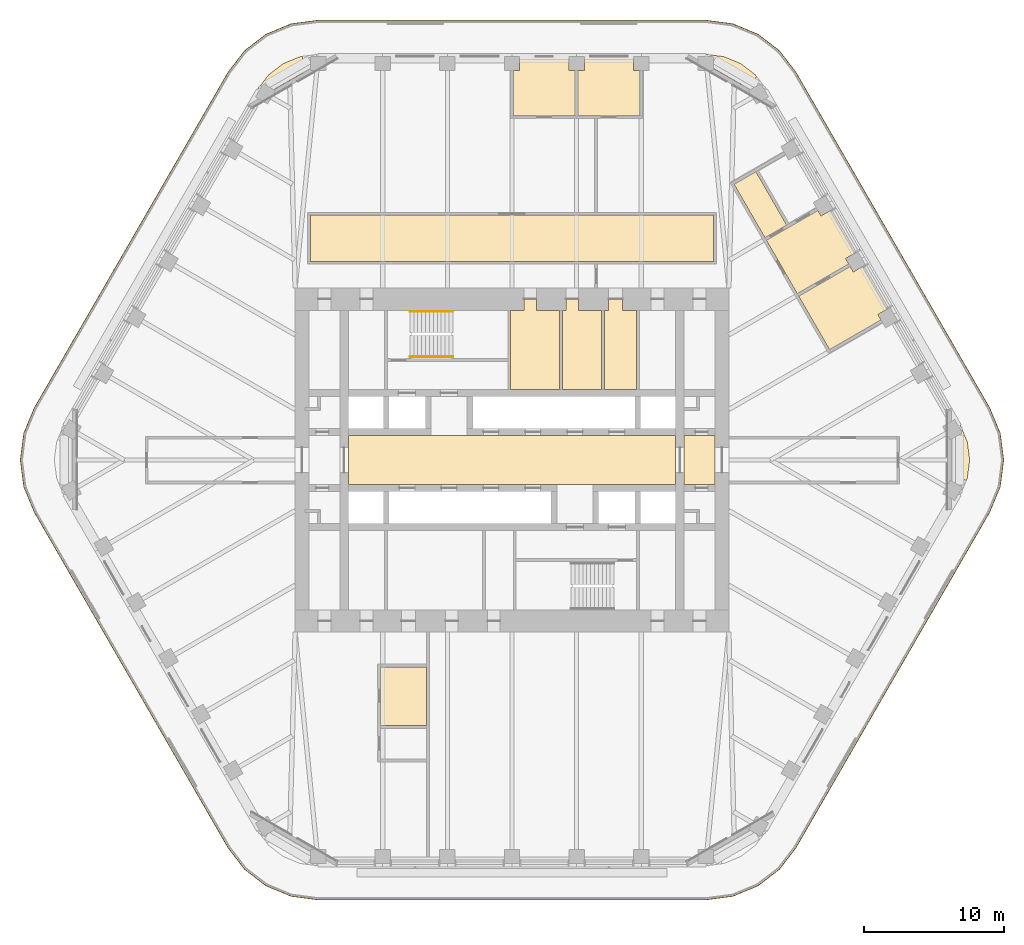
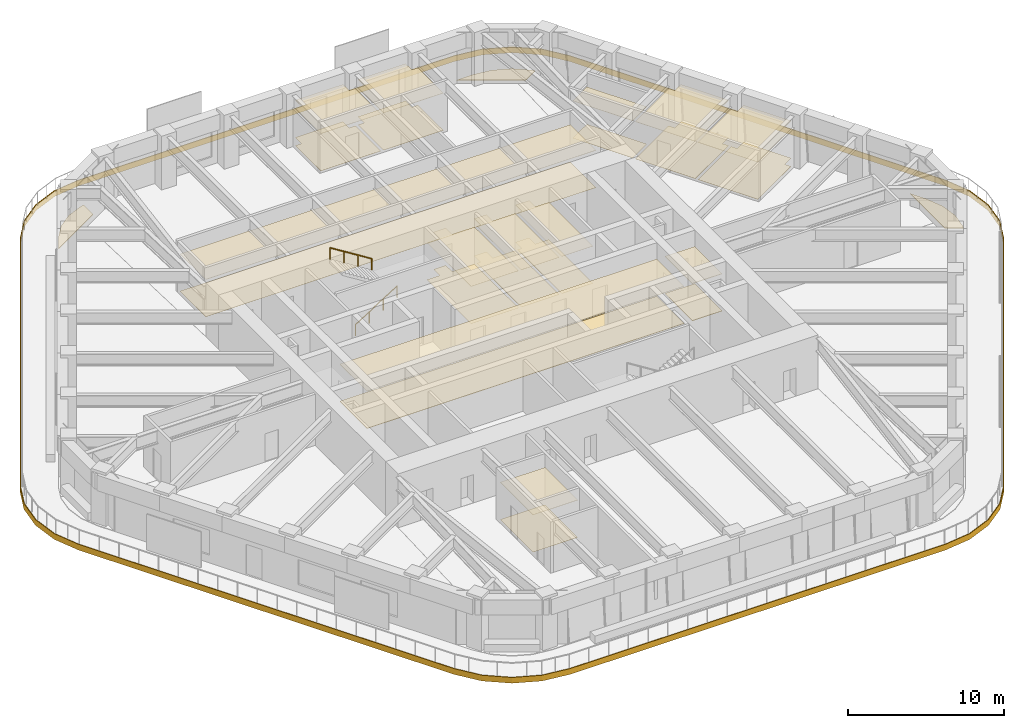
# One storey, part 19 of 20: 16 coverings, 2 railings.
"""IFC4 building model written with IfcOpenShell, lengths in metres."""

from ifc_helpers import new_model, si_unit, direction, frame, origin, origin_2d, place, context, subcontext, project, spatial, polyline, circle, outline, extrude, material, layer, layer_set, type_object, element, save


model = new_model("IFC4")

# Units and contexts
model_context = context("Model", 3, precision=1e-05, world=origin(), true_north=direction((0.0, 1.0)))
body_context = subcontext(model_context, "Body", "Model", "MODEL_VIEW")
ifc_project = project(units=[si_unit("LENGTHUNIT", "METRE"), si_unit("AREAUNIT", "SQUARE_METRE"), si_unit("VOLUMEUNIT", "CUBIC_METRE"), si_unit("PLANEANGLEUNIT", "RADIAN"), si_unit("MASSUNIT", "GRAM", prefix="KILO")], contexts=[model_context])

# Site, building, storey
site_placement = place(None, origin())
site = spatial("IfcSite", under=ifc_project, at=site_placement, CompositionType="ELEMENT")
building_placement = place(site_placement, origin())
building = spatial("IfcBuilding", under=site, at=building_placement, Name="Tarfa Lantern Tower", CompositionType="ELEMENT")
storey_placement = place(building_placement, frame((0.0, 0.0, 291.10009765625)))
storey = spatial("IfcBuildingStorey", under=building, at=storey_placement, Name="L66", CompositionType="ELEMENT", Elevation=291.10009765625)

# Coverings
ifc_material_1 = material(Name="Mineral fibre acoustic tile on suspension grid", Category="finish")
ifc_layer_1 = layer(ifc_material_1, 0.02001953125)
ifc_layer_set_1 = layer_set([ifc_layer_1], Name="CL1 ACOUSTIC TILE CEILING 20")
covering_type_1 = type_object("IfcCoveringType", Name="CL1 ACOUSTIC TILE CEILING 20", PredefinedType="CEILING", material=ifc_layer_set_1)
covering_1_placement = place(storey_placement, frame((0.0, 0.0, 2.89990234375)))
element("IfcCovering", 1, at=covering_1_placement, inside=storey, type_object=covering_type_1, Name="Ceiling L66 CL1", PredefinedType="CEILING", context=body_context, shape_type="SweptSolid", body=[
    extrude(outline(polyline([(-14.39990234375, 17.5), (14.39990234375, 17.5), (14.39990234375, 14.199951171875), (-14.39990234375, 14.199951171875), (-14.39990234375, 17.5)])), origin(), (0.0, 0.0, 1.0), 0.02001953125),
    extrude(outline(polyline([(9.1376953125, 24.60009765625), (4.71875, 24.60009765625), (4.71875, 27.85009765625), (5.168701171875, 27.85009765625), (5.168701171875, 28.64990234375), (8.6875, 28.64990234375), (8.6875, 27.85009765625), (9.1376953125, 27.85009765625), (9.1376953125, 24.60009765625)])), origin(), (0.0, 0.0, 1.0), 0.02001953125),
    extrude(outline(polyline([(4.518798828125, 24.60009765625), (0.10009765625, 24.60009765625), (0.10009765625, 27.85009765625), (0.550048828125, 27.85009765625), (0.550048828125, 28.64990234375), (4.06884765625, 28.64990234375), (4.06884765625, 27.85009765625), (4.518798828125, 27.85009765625), (4.518798828125, 24.60009765625)])), origin(), (0.0, 0.0, 1.0), 0.02001953125),
    extrude(outline(polyline([(20.48828125, 11.71337890625), (24.168701171875, 13.83837890625), (24.393798828125, 13.44873046875), (25.086669921875, 13.8486328125), (26.845947265625, 10.80126953125), (26.1533203125, 10.4013671875), (26.378173828125, 10.01171875), (22.697509765625, 7.88671875), (20.48828125, 11.71337890625)])), origin(), (0.0, 0.0, 1.0), 0.02001953125),
    extrude(outline(polyline([(18.1787109375, 15.71337890625), (21.859375, 17.83837890625), (22.08447265625, 17.44873046875), (22.77734375, 17.8486328125), (24.53662109375, 14.80126953125), (23.84375, 14.4013671875), (24.06884765625, 14.01171875), (20.38818359375, 11.88671875), (18.1787109375, 15.71337890625)])), origin(), (0.0, 0.0, 1.0), 0.02001953125),
    extrude(outline(polyline([(-9.39990234375, -18.97509765625), (-9.39990234375, -14.77490234375), (-6.10009765625, -14.77490234375), (-6.10009765625, -18.97509765625), (-9.39990234375, -18.97509765625)])), origin(), (0.0, 0.0, 1.0), 0.02001953125),
    extrude(outline(polyline([(15.869384765625, 19.71337890625), (17.42822265625, 20.61328125), (19.6376953125, 16.78662109375), (18.078857421875, 15.88671875), (15.869384765625, 19.71337890625)])), origin(), (0.0, 0.0, 1.0), 0.02001953125),
])
ifc_material_2 = material(Name="Moisture-resistant plasterboard", Category="finish")
ifc_layer_2 = layer(ifc_material_2, 0.014892578125)
ifc_layer_set_2 = layer_set([ifc_layer_2], Name="CL2 MOISTURE-RESISTANT PLASTERBOARD CEILING 15")
covering_type_2 = type_object("IfcCoveringType", Name="CL2 MOISTURE-RESISTANT PLASTERBOARD CEILING 15", PredefinedType="CEILING", material=ifc_layer_set_2)
covering_2_placement = place(storey_placement, frame((0.0, 0.0, 2.89990234375)))
element("IfcCovering", 2, at=covering_2_placement, inside=storey, type_object=covering_type_2, Name="Ceiling L66-07", PredefinedType="CEILING", context=body_context, shape_type="SweptSolid", body=[
    extrude(outline(polyline([(0.85009765625, 10.699951171875), (-0.10009765625, 10.699951171875), (-0.10009765625, 5.050048828125), (3.39990234375, 5.050048828125), (3.39990234375, 10.699951171875), (1.75, 10.699951171875), (1.75, 11.5), (0.85009765625, 11.5), (0.85009765625, 11.5), (0.85009765625, 10.699951171875)])), origin(), (0.0, 0.0, 1.0), 0.014892578125),
])
covering_3_placement = place(storey_placement, frame((0.0, 0.0, 2.89990234375)))
element("IfcCovering", 3, at=covering_3_placement, inside=storey, type_object=covering_type_2, Name="Ceiling L66-08", PredefinedType="CEILING", context=body_context, shape_type="SweptSolid", body=[
    extrude(outline(polyline([(3.60009765625, 5.050048828125), (6.39990234375, 5.050048828125), (6.39990234375, 10.699951171875), (4.75, 10.699951171875), (4.75, 11.5), (3.85009765625, 11.5), (3.85009765625, 10.699951171875), (3.60009765625, 10.699951171875), (3.60009765625, 5.050048828125)])), origin(), (0.0, 0.0, 1.0), 0.014892578125),
])
covering_4_placement = place(storey_placement, frame((0.0, 0.0, 2.89990234375)))
element("IfcCovering", 4, at=covering_4_placement, inside=storey, type_object=covering_type_2, Name="Ceiling L66-09", PredefinedType="CEILING", context=body_context, shape_type="SweptSolid", body=[
    extrude(outline(polyline([(6.60009765625, 5.050048828125), (8.89990234375, 5.050048828125), (8.89990234375, 10.699951171875), (7.89990234375, 10.699951171875), (7.89990234375, 11.5), (6.89990234375, 11.5), (6.89990234375, 10.699951171875), (6.60009765625, 10.699951171875), (6.60009765625, 5.050048828125)])), origin(), (0.0, 0.0, 1.0), 0.014892578125),
])
ifc_material_3 = material(Name="Powder-coated aluminium panel", Category="aluminium")
ifc_layer_3 = layer(ifc_material_3, 0.030029296875)
ifc_layer_set_3 = layer_set([ifc_layer_3], Name="CL3 METAL PANEL CEILING 30")
covering_type_3 = type_object("IfcCoveringType", Name="CL3 METAL PANEL CEILING 30", PredefinedType="CEILING", material=ifc_layer_set_3)
covering_5_placement = place(storey_placement, frame((0.0, 0.0, 2.89990234375)))
element("IfcCovering", 5, at=covering_5_placement, inside=storey, type_object=covering_type_3, Name="Ceiling L66-02", PredefinedType="CEILING", context=body_context, shape_type="SweptSolid", body=[
    extrude(outline(polyline([(-11.699951171875, -1.75), (11.699951171875, -1.75), (11.699951171875, 1.75), (-11.699951171875, 1.75), (-11.699951171875, -1.75)])), origin(), (0.0, 0.0, 1.0), 0.030029296875),
])
covering_6_placement = place(storey_placement, frame((0.0, 0.0, 2.89990234375)))
element("IfcCovering", 6, at=covering_6_placement, inside=storey, type_object=covering_type_3, Name="Ceiling L66-03", PredefinedType="CEILING", context=body_context, shape_type="SweptSolid", body=[
    extrude(outline(polyline([(12.300048828125, -1.75), (14.5, -1.75), (14.5, 1.75), (12.300048828125, 1.75), (12.300048828125, -1.75)])), origin(), (0.0, 0.0, 1.0), 0.030029296875),
])
ifc_material_4 = material(Name="Nylon carpet tile", Category="finish")
ifc_layer_4 = layer(ifc_material_4, 0.010009765625)
ifc_layer_set_4 = layer_set([ifc_layer_4], Name="FL1 CARPET TILE 10")
covering_type_4 = type_object("IfcCoveringType", Name="FL1 CARPET TILE 10", PredefinedType="FLOORING", material=ifc_layer_set_4)
covering_7_placement = place(storey_placement, origin())
element("IfcCovering", 7, at=covering_7_placement, inside=storey, type_object=covering_type_4, Name="Floor finish L66 FL1", PredefinedType="FLOORING", context=body_context, shape_type="SweptSolid", body=[
    extrude(outline(polyline([(-14.39990234375, 17.5), (14.39990234375, 17.5), (14.39990234375, 14.199951171875), (-14.39990234375, 14.199951171875), (-14.39990234375, 17.5)])), origin(), (0.0, 0.0, 1.0), 0.010009765625),
    extrude(outline(polyline([(9.1376953125, 24.60009765625), (4.71875, 24.60009765625), (4.71875, 27.85009765625), (5.168701171875, 27.85009765625), (5.168701171875, 28.64990234375), (8.6875, 28.64990234375), (8.6875, 27.85009765625), (9.1376953125, 27.85009765625), (9.1376953125, 24.60009765625)])), origin(), (0.0, 0.0, 1.0), 0.010009765625),
    extrude(outline(polyline([(4.518798828125, 24.60009765625), (0.10009765625, 24.60009765625), (0.10009765625, 27.85009765625), (0.550048828125, 27.85009765625), (0.550048828125, 28.64990234375), (4.06884765625, 28.64990234375), (4.06884765625, 27.85009765625), (4.518798828125, 27.85009765625), (4.518798828125, 24.60009765625)])), origin(), (0.0, 0.0, 1.0), 0.010009765625),
    extrude(outline(polyline([(20.48828125, 11.71337890625), (24.168701171875, 13.83837890625), (24.393798828125, 13.44873046875), (25.086669921875, 13.8486328125), (26.845947265625, 10.80126953125), (26.1533203125, 10.4013671875), (26.378173828125, 10.01171875), (22.697509765625, 7.88671875), (20.48828125, 11.71337890625)])), origin(), (0.0, 0.0, 1.0), 0.010009765625),
    extrude(outline(polyline([(18.1787109375, 15.71337890625), (21.859375, 17.83837890625), (22.08447265625, 17.44873046875), (22.77734375, 17.8486328125), (24.53662109375, 14.80126953125), (23.84375, 14.4013671875), (24.06884765625, 14.01171875), (20.38818359375, 11.88671875), (18.1787109375, 15.71337890625)])), origin(), (0.0, 0.0, 1.0), 0.010009765625),
    extrude(outline(polyline([(-9.39990234375, -18.97509765625), (-9.39990234375, -14.77490234375), (-6.10009765625, -14.77490234375), (-6.10009765625, -18.97509765625), (-9.39990234375, -18.97509765625)])), origin(), (0.0, 0.0, 1.0), 0.010009765625),
    extrude(outline(polyline([(15.869384765625, 19.71337890625), (17.42822265625, 20.61328125), (19.6376953125, 16.78662109375), (18.078857421875, 15.88671875), (15.869384765625, 19.71337890625)])), origin(), (0.0, 0.0, 1.0), 0.010009765625),
])
ifc_material_5 = material(Name="Honed limestone flooring", Category="masonry")
ifc_layer_5 = layer(ifc_material_5, 0.030029296875)
ifc_layer_set_5 = layer_set([ifc_layer_5], Name="FL2 STONE FLOORING 30")
covering_type_5 = type_object("IfcCoveringType", Name="FL2 STONE FLOORING 30", PredefinedType="FLOORING", material=ifc_layer_set_5)
covering_8_placement = place(storey_placement, origin())
element("IfcCovering", 8, at=covering_8_placement, inside=storey, type_object=covering_type_5, Name="Floor finish L66-02", PredefinedType="FLOORING", context=body_context, shape_type="SweptSolid", body=[
    extrude(outline(polyline([(-11.699951171875, -1.75), (11.699951171875, -1.75), (11.699951171875, 1.75), (-11.699951171875, 1.75), (-11.699951171875, -1.75)])), origin(), (0.0, 0.0, 1.0), 0.02978515625),
])
covering_9_placement = place(storey_placement, origin())
element("IfcCovering", 9, at=covering_9_placement, inside=storey, type_object=covering_type_5, Name="Floor finish L66-03", PredefinedType="FLOORING", context=body_context, shape_type="SweptSolid", body=[
    extrude(outline(polyline([(12.300048828125, -1.75), (14.5, -1.75), (14.5, 1.75), (12.300048828125, 1.75), (12.300048828125, -1.75)])), origin(), (0.0, 0.0, 1.0), 0.02978515625),
])
ifc_material_6 = material(Name="Porcelain floor tile", Category="finish")
ifc_layer_6 = layer(ifc_material_6, 0.011962890625)
ifc_layer_set_6 = layer_set([ifc_layer_6], Name="FL3 CERAMIC TILE 12")
covering_type_6 = type_object("IfcCoveringType", Name="FL3 CERAMIC TILE 12", PredefinedType="FLOORING", material=ifc_layer_set_6)
covering_10_placement = place(storey_placement, origin())
element("IfcCovering", 10, at=covering_10_placement, inside=storey, type_object=covering_type_6, Name="Floor finish L66-07", PredefinedType="FLOORING", context=body_context, shape_type="SweptSolid", body=[
    extrude(outline(polyline([(0.85009765625, 10.699951171875), (-0.10009765625, 10.699951171875), (-0.10009765625, 5.050048828125), (3.39990234375, 5.050048828125), (3.39990234375, 10.699951171875), (1.75, 10.699951171875), (1.75, 11.5), (0.85009765625, 11.5), (0.85009765625, 11.5), (0.85009765625, 10.699951171875)])), origin(), (0.0, 0.0, 1.0), 0.011962890625),
])
covering_11_placement = place(storey_placement, origin())
element("IfcCovering", 11, at=covering_11_placement, inside=storey, type_object=covering_type_6, Name="Floor finish L66-08", PredefinedType="FLOORING", context=body_context, shape_type="SweptSolid", body=[
    extrude(outline(polyline([(3.60009765625, 5.050048828125), (6.39990234375, 5.050048828125), (6.39990234375, 10.699951171875), (4.75, 10.699951171875), (4.75, 11.5), (3.85009765625, 11.5), (3.85009765625, 10.699951171875), (3.60009765625, 10.699951171875), (3.60009765625, 5.050048828125)])), origin(), (0.0, 0.0, 1.0), 0.011962890625),
])
covering_12_placement = place(storey_placement, origin())
element("IfcCovering", 12, at=covering_12_placement, inside=storey, type_object=covering_type_6, Name="Floor finish L66-09", PredefinedType="FLOORING", context=body_context, shape_type="SweptSolid", body=[
    extrude(outline(polyline([(6.60009765625, 5.050048828125), (8.89990234375, 5.050048828125), (8.89990234375, 10.699951171875), (7.89990234375, 10.699951171875), (7.89990234375, 11.5), (6.89990234375, 11.5), (6.89990234375, 10.699951171875), (6.60009765625, 10.699951171875), (6.60009765625, 5.050048828125)])), origin(), (0.0, 0.0, 1.0), 0.011962890625),
])

# Railings
ifc_material_7 = material(Name="Stainless steel", Category="steel")
railing_type = type_object("IfcRailingType", Name="HR1 HANDRAIL 900", PredefinedType="HANDRAIL", material=ifc_material_7)
railing_1_placement = place(storey_placement, frame((-7.300048828125, 7.3798828125, 0.1748046875)))
element("IfcRailing", 13, at=railing_1_placement, inside=storey, type_object=railing_type, Name="Handrail 1", PredefinedType="HANDRAIL", context=body_context, shape_type="SweptSolid", body=[
    extrude(circle(Radius=0.02392578125, at=origin_2d()), frame((0.0, 0.0, 0.8759765625), z_axis=(0.847998304005, 0.0, 0.529998940003), x_axis=(0.0, 1.0, 0.0)), (0.0, 0.0, 1.0), 3.632080078125),
    extrude(circle(Radius=0.02099609375, at=origin_2d()), frame((0.0, 0.0, 0.0), z_axis=(0.0, 0.0, 1.0), x_axis=(0.0, 1.0, 0.0)), (0.0, 0.0, 1.0), 0.851806640625),
    extrude(circle(Radius=0.02099609375, at=origin_2d()), frame((1.026611328125, 0.0, 0.6416015625), z_axis=(0.0, 0.0, 1.0), x_axis=(0.0, 1.0, 0.0)), (0.0, 0.0, 1.0), 0.851806640625),
    extrude(circle(Radius=0.02099609375, at=origin_2d()), frame((2.053466796875, 0.0, 1.283447265625), z_axis=(0.0, 0.0, 1.0), x_axis=(0.0, 1.0, 0.0)), (0.0, 0.0, 1.0), 0.851806640625),
    extrude(circle(Radius=0.02099609375, at=origin_2d()), frame((3.080078125, 0.0, 1.925048828125), z_axis=(0.0, 0.0, 1.0), x_axis=(0.0, 1.0, 0.0)), (0.0, 0.0, 1.0), 0.851806640625),
])
railing_2_placement = place(storey_placement, frame((-4.219970703125, 10.6201171875, 2.27490234375)))
element("IfcRailing", 14, at=railing_2_placement, inside=storey, type_object=railing_type, Name="Handrail 2", PredefinedType="HANDRAIL", context=body_context, shape_type="SweptSolid", body=[
    extrude(circle(Radius=0.02392578125, at=origin_2d()), frame((0.0, 0.0, 0.8759765625), z_axis=(-0.847998304005, 0.0, 0.529998940003), x_axis=(0.0, -1.0, 0.0)), (0.0, 0.0, 1.0), 3.632080078125),
    extrude(circle(Radius=0.02099609375, at=origin_2d()), frame((0.0, 0.0, 0.0), z_axis=(0.0, 0.0, 1.0), x_axis=(0.0, -1.0, 0.0)), (0.0, 0.0, 1.0), 0.851806640625),
    extrude(circle(Radius=0.02099609375, at=origin_2d()), frame((-1.026611328125, 0.0, 0.6416015625), z_axis=(0.0, 0.0, 1.0), x_axis=(0.0, -1.0, 0.0)), (0.0, 0.0, 1.0), 0.851806640625),
    extrude(circle(Radius=0.02099609375, at=origin_2d()), frame((-2.053466796875, 0.0, 1.283447265625), z_axis=(0.0, 0.0, 1.0), x_axis=(0.0, -1.0, 0.0)), (0.0, 0.0, 1.0), 0.851806640625),
    extrude(circle(Radius=0.02099609375, at=origin_2d()), frame((-3.080078125, 0.0, 1.925048828125), z_axis=(0.0, 0.0, 1.0), x_axis=(0.0, -1.0, 0.0)), (0.0, 0.0, 1.0), 0.851806640625),
])

# Coverings
ifc_material_8 = material(Name="Porcelain pavers on pedestals", Category="ceramic")
ifc_layer_7 = layer(ifc_material_8, 0.0400390625)
ifc_layer_set_7 = layer_set([ifc_layer_7], Name="LP1 LOGGIA PAVING 40")
covering_type_7 = type_object("IfcCoveringType", Name="LP1 LOGGIA PAVING 40", PredefinedType="FLOORING", material=ifc_layer_set_7)
covering_13_placement = place(storey_placement, origin())
element("IfcCovering", 15, at=covering_13_placement, inside=storey, type_object=covering_type_7, Name="Sky garden paving NE-N", PredefinedType="FLOORING", context=body_context, shape_type="SweptSolid", body=[
    extrude(outline(polyline([(15.150390625, 28.82958984375), (16.3564453125, 28.330078125), (17.391845703125, 27.53564453125), (17.51123046875, 27.380126953125), (16.4765625, 26.782958984375), (12.641357421875, 28.997314453125), (12.64306640625, 29.0), (13.8564453125, 29.0), (15.150390625, 28.82958984375)])), origin(), (0.0, 0.0, 1.0), 0.039794921875),
])
covering_14_placement = place(storey_placement, origin())
element("IfcCovering", 16, at=covering_14_placement, inside=storey, type_object=covering_type_7, Name="Sky garden paving N-NW", PredefinedType="FLOORING", context=body_context, shape_type="SweptSolid", body=[
    extrude(outline(polyline([(-17.391845703125, 27.53564453125), (-16.3564453125, 28.330078125), (-15.150390625, 28.82958984375), (-14.956298828125, 28.855224609375), (-14.956298828125, 27.66064453125), (-18.791748046875, 25.4462890625), (-18.793212890625, 25.44921875), (-18.1865234375, 26.5), (-17.391845703125, 27.53564453125)])), origin(), (0.0, 0.0, 1.0), 0.039794921875),
])
covering_15_placement = place(storey_placement, origin())
element("IfcCovering", 17, at=covering_15_placement, inside=storey, type_object=covering_type_7, Name="Sky garden paving SE-NE", PredefinedType="FLOORING", context=body_context, shape_type="SweptSolid", body=[
    extrude(outline(polyline([(32.54248046875, 1.294189453125), (32.712890625, 0.0), (32.54248046875, -1.294189453125), (32.467529296875, -1.474853515625), (31.43310546875, -0.877685546875), (31.43310546875, 3.55078125), (31.436279296875, 3.55078125), (32.04296875, 2.5), (32.54248046875, 1.294189453125)])), origin(), (0.0, 0.0, 1.0), 0.039794921875),
])
ifc_material_9 = material(Name="Limestone cladding on brackets", Category="masonry")
ifc_layer_8 = layer(ifc_material_9, 0.050048828125)
ifc_layer_set_8 = layer_set([ifc_layer_8], Name="SB1 STONE BAND CLADDING 50")
covering_type_8 = type_object("IfcCoveringType", Name="SB1 STONE BAND CLADDING 50", PredefinedType="CLADDING", material=ifc_layer_set_8)
covering_16_placement = place(storey_placement, frame((0.0, 0.0, -0.400146484375)))
element("IfcCovering", 18, at=covering_16_placement, inside=storey, type_object=covering_type_8, Name="Stone band", PredefinedType="CLADDING", context=body_context, shape_type="SweptSolid", body=[
    extrude(outline(polyline([(34.164794921875, 3.72509765625), (20.308349609375, 27.72509765625), (19.124267578125, 29.26806640625), (17.581298828125, 30.451904296875), (15.78466796875, 31.196044921875), (13.8564453125, 31.449951171875), (-13.8564453125, 31.449951171875), (-15.78466796875, 31.196044921875), (-17.581298828125, 30.451904296875), (-19.124267578125, 29.26806640625), (-20.308349609375, 27.72509765625), (-34.164794921875, 3.72509765625), (-34.908935546875, 1.92822265625), (-35.162841796875, 0.0), (-34.908935546875, -1.92822265625), (-34.164794921875, -3.72509765625), (-20.308349609375, -27.72509765625), (-19.124267578125, -29.26806640625), (-17.581298828125, -30.451904296875), (-15.78466796875, -31.196044921875), (-13.8564453125, -31.449951171875), (13.8564453125, -31.449951171875), (15.78466796875, -31.196044921875), (17.581298828125, -30.451904296875), (19.124267578125, -29.26806640625), (20.308349609375, -27.72509765625), (34.164794921875, -3.72509765625), (34.908935546875, -1.92822265625), (35.162841796875, 0.0), (34.908935546875, 1.92822265625), (34.164794921875, 3.72509765625)]), holes=[polyline([(34.121337890625, 3.699951171875), (20.264892578125, 27.699951171875), (19.089111328125, 29.232666015625), (17.556396484375, 30.40869140625), (15.771728515625, 31.14794921875), (13.8564453125, 31.39990234375), (-13.8564453125, 31.39990234375), (-15.771728515625, 31.14794921875), (-17.556396484375, 30.40869140625), (-19.089111328125, 29.232666015625), (-20.264892578125, 27.699951171875), (-34.121337890625, 3.699951171875), (-34.860595703125, 1.915283203125), (-35.11279296875, 0.0), (-34.860595703125, -1.915283203125), (-34.121337890625, -3.699951171875), (-20.264892578125, -27.699951171875), (-19.089111328125, -29.232666015625), (-17.556396484375, -30.40869140625), (-15.771728515625, -31.14794921875), (-13.8564453125, -31.39990234375), (13.8564453125, -31.39990234375), (15.771728515625, -31.14794921875), (17.556396484375, -30.40869140625), (19.089111328125, -29.232666015625), (20.264892578125, -27.699951171875), (34.121337890625, -3.699951171875), (34.860595703125, -1.915283203125), (35.11279296875, 0.0), (34.860595703125, 1.915283203125), (34.121337890625, 3.699951171875)])]), origin(), (0.0, 0.0, 1.0), 0.449951171875),
])

save(model, "model.ifc")
